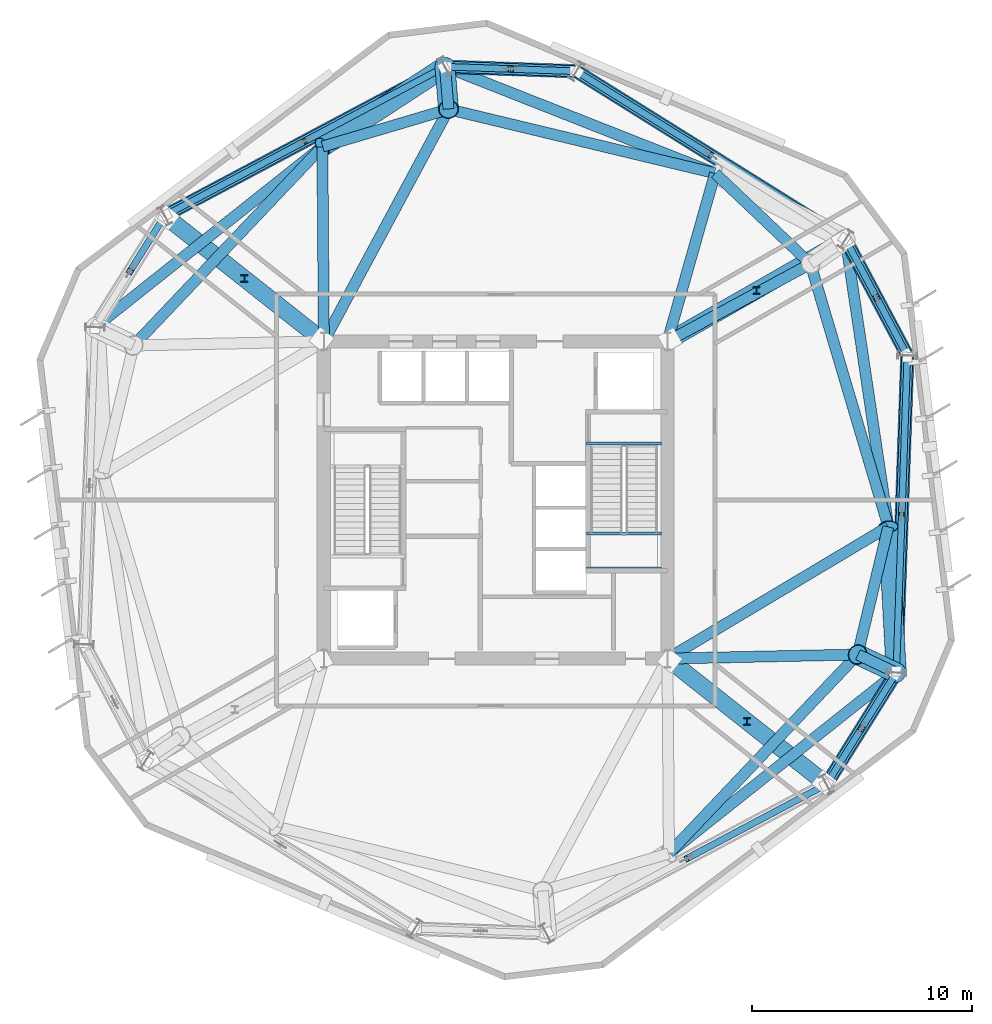
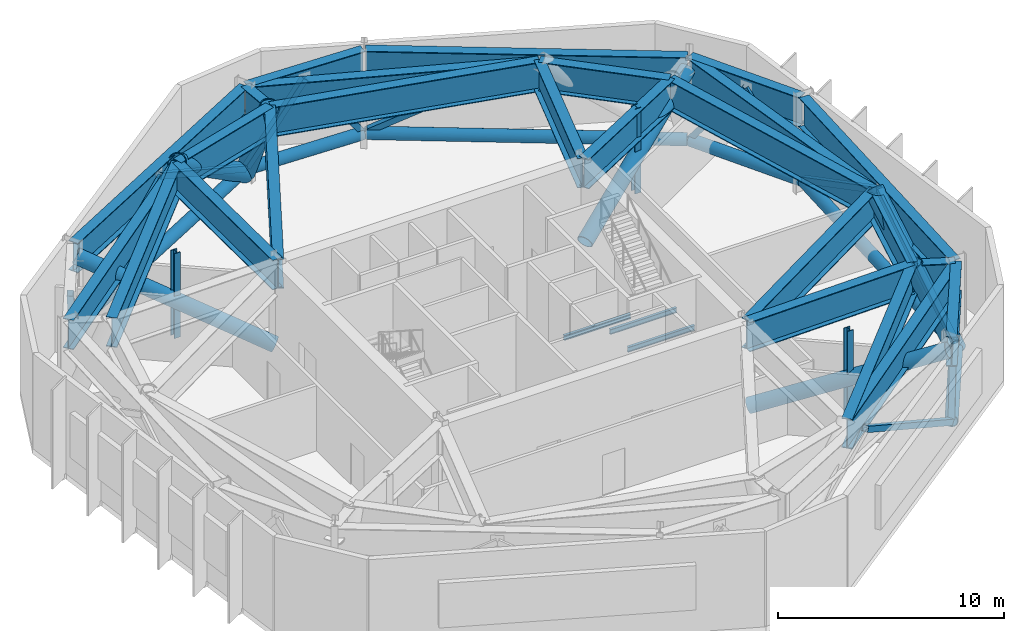
# One storey, part 2 of 11: 29 members, 28 beams.
"""IFC4 building model written with IfcOpenShell, lengths in metres."""

from ifc_helpers import new_model, si_unit, direction, frame, origin, origin_2d, place, context, subcontext, project, spatial, hollow_rectangle, hollow_circle, i_section, extrude, material, material_profile, profile_set, type_object, element, save


model = new_model("IFC4")

# Units and contexts
model_context = context("Model", 3, precision=1e-05, world=origin(), true_north=direction((0.0, 1.0)))
body_context = subcontext(model_context, "Body", "Model", "MODEL_VIEW")
ifc_project = project(units=[si_unit("LENGTHUNIT", "METRE"), si_unit("AREAUNIT", "SQUARE_METRE"), si_unit("VOLUMEUNIT", "CUBIC_METRE"), si_unit("PLANEANGLEUNIT", "RADIAN"), si_unit("MASSUNIT", "GRAM", prefix="KILO")], contexts=[model_context])

# Site, building, storey
site_placement = place(None, origin())
site = spatial("IfcSite", under=ifc_project, at=site_placement, CompositionType="ELEMENT")
building_placement = place(site_placement, origin())
building = spatial("IfcBuilding", under=site, at=building_placement, Name="Kranzbogen Civic Tower", CompositionType="ELEMENT")
storey_placement = place(building_placement, frame((0.0, 0.0, 170.39990234375)))
storey = spatial("IfcBuildingStorey", under=building, at=storey_placement, Name="L41", CompositionType="ELEMENT", Elevation=170.39990234375)

# Members
ifc_material_1 = material(Name="Steel S355", Category="steel")
ifc_material_profile_1 = material_profile(ifc_material_1, hollow_circle(Radius=0.304931640625, WallThickness=0.030029296875, at=origin_2d()), Name="CHS 610x30")
ifc_profile_set_1 = profile_set([ifc_material_profile_1], Name="Steel S355")
member_type_1 = type_object("IfcMemberType", Name="Belt Truss Bottom Chord CHS 610x30", PredefinedType="CHORD", material=ifc_profile_set_1)
member_1_placement = place(storey_placement, frame((40.06494140625, 12.159912109375, 0.550048828125), z_axis=(0.530010268754, 0.847991223431, 0.0), x_axis=(-0.847991223431, 0.530010268754, 0.0)))
element("IfcMember", 1, at=member_1_placement, inside=storey, type_object=member_type_1, Name="RNG-1: L41 belt truss bottom chord 05", PredefinedType="CHORD", context=body_context, shape_type="SweptSolid", body=[
    extrude(hollow_circle(Radius=0.304931640625, WallThickness=0.030029296875, at=origin_2d()), origin(), (0.0, 0.0, 1.0), 5.811279296875),
])
member_2_placement = place(storey_placement, frame((43.18994140625, 17.236083984375, 0.550048828125), z_axis=(0.034885400001, 0.999391319187, 0.0), x_axis=(-0.999391319187, 0.034885400001, 0.0)))
element("IfcMember", 2, at=member_2_placement, inside=storey, type_object=member_type_1, Name="RNG-1: L41 belt truss bottom chord 06", PredefinedType="CHORD", context=body_context, shape_type="SweptSolid", body=[
    extrude(hollow_circle(Radius=0.304931640625, WallThickness=0.030029296875, at=origin_2d()), origin(), (0.0, 0.0, 1.0), 14.248779296875),
])
member_3_placement = place(storey_placement, frame((43.652099609375, 31.626953125, 0.550048828125), z_axis=(-0.469440869476, 0.882963912097, 0.0), x_axis=(-0.882963912097, -0.469440869476, 0.0)))
element("IfcMember", 3, at=member_3_placement, inside=storey, type_object=member_type_1, Name="RNG-1: L41 belt truss bottom chord 07", PredefinedType="CHORD", context=body_context, shape_type="SweptSolid", body=[
    extrude(hollow_circle(Radius=0.304931640625, WallThickness=0.030029296875, at=origin_2d()), origin(), (0.0, 0.0, 1.0), 5.811279296875),
])
member_4_placement = place(storey_placement, frame((40.818115234375, 36.87109375, 0.550048828125), z_axis=(-0.848006005304, 0.529986617726, 0.0), x_axis=(-0.529986617726, -0.848006005304, 0.0)))
element("IfcMember", 4, at=member_4_placement, inside=storey, type_object=member_type_1, Name="RNG-1: L41 belt truss bottom chord 08", PredefinedType="CHORD", context=body_context, shape_type="SweptSolid", body=[
    extrude(hollow_circle(Radius=0.304931640625, WallThickness=0.030029296875, at=origin_2d()), origin(), (0.0, 0.0, 1.0), 14.24755859375),
])
member_5_placement = place(storey_placement, frame((28.587890625, 44.467041015625, 0.550048828125), z_axis=(-0.999396483261, 0.034737145028, 0.0), x_axis=(-0.034737145028, -0.999396483261, 0.0)))
element("IfcMember", 5, at=member_5_placement, inside=storey, type_object=member_type_1, Name="RNG-1: L41 belt truss bottom chord 09", PredefinedType="CHORD", context=body_context, shape_type="SweptSolid", body=[
    extrude(hollow_circle(Radius=0.304931640625, WallThickness=0.030029296875, at=origin_2d()), origin(), (0.0, 0.0, 1.0), 5.812255859375),
])
member_6_placement = place(storey_placement, frame((22.6279296875, 44.634033203125, 0.550048828125), z_axis=(-0.882971685051, -0.469426249157, 0.0), x_axis=(0.469426249157, -0.882971685051, 0.0)))
element("IfcMember", 6, at=member_6_placement, inside=storey, type_object=member_type_1, Name="RNG-1: L41 belt truss bottom chord 10", PredefinedType="CHORD", context=body_context, shape_type="SweptSolid", body=[
    extrude(hollow_circle(Radius=0.304931640625, WallThickness=0.030029296875, at=origin_2d()), origin(), (0.0, 0.0, 1.0), 14.2470703125),
])
ifc_material_2 = material(Name="Steel S460", Category="steel")
ifc_material_profile_2 = material_profile(ifc_material_2, hollow_circle(Radius=0.381103515625, WallThickness=0.031982421875, at=origin_2d()), Name="CHS 762x32")
ifc_profile_set_2 = profile_set([ifc_material_profile_2], Name="Steel S460")
member_type_2 = type_object("IfcMemberType", Name="Outrigger Truss Chord CHS 762x32", PredefinedType="CHORD", material=ifc_profile_set_2)
member_7_placement = place(storey_placement, frame((32.91796875, 17.70703125, 0.550048828125), z_axis=(0.718962917258, -0.568206550283, 0.40029194324), x_axis=(0.620050410333, 0.78456197247, 0.0)))
element("IfcMember", 7, at=member_7_placement, inside=storey, type_object=member_type_2, Name="OUT-1: L41 radial outrigger strut 2", PredefinedType="CHORD", context=body_context, shape_type="SweptSolid", body=[
    extrude(hollow_circle(Radius=0.381103515625, WallThickness=0.031982421875, at=origin_2d()), origin(), (0.0, 0.0, 1.0), 9.71826171875),
])
member_8_placement = place(storey_placement, frame((32.929931640625, 32.27490234375, 0.550048828125), z_axis=(0.796916211363, 0.456083878639, 0.396121253801), x_axis=(-0.496716148892, 0.867913052921, 0.0)))
element("IfcMember", 8, at=member_8_placement, inside=storey, type_object=member_type_2, Name="OUT-1: L41 radial outrigger strut 3", PredefinedType="CHORD", context=body_context, shape_type="SweptSolid", body=[
    extrude(hollow_circle(Radius=0.381103515625, WallThickness=0.031982421875, at=origin_2d()), origin(), (0.0, 0.0, 1.0), 9.820556640625),
])
member_9_placement = place(storey_placement, frame((17.08203125, 32.29296875, 0.550048828125), z_axis=(-0.718962917258, 0.568206550283, 0.40029194324), x_axis=(-0.620050410333, -0.78456197247, 0.0)))
element("IfcMember", 9, at=member_9_placement, inside=storey, type_object=member_type_2, Name="OUT-1: L41 radial outrigger strut 4", PredefinedType="CHORD", context=body_context, shape_type="SweptSolid", body=[
    extrude(hollow_circle(Radius=0.381103515625, WallThickness=0.031982421875, at=origin_2d()), origin(), (0.0, 0.0, 1.0), 9.71826171875),
])
ifc_material_profile_3 = material_profile(ifc_material_1, i_section(OverallWidth=0.31005859375, OverallDepth=0.340087890625, WebThickness=0.02099609375, FlangeThickness=0.0390625, at=origin_2d()), Name="HEM 300")
ifc_profile_set_3 = profile_set([ifc_material_profile_3], Name="Steel S355")
member_type_3 = type_object("IfcMemberType", Name="Outrigger Truss Vertical Post HEM 300", PredefinedType="POST", material=ifc_profile_set_3)
for number, where, z_axis, x_axis, name in (
    (10, (36.412109375, 14.946044921875, 0.550048828125), (0.0, 0.0, 1.0), (1.0, 0.0, 0.0), "PST-3: L41 outrigger web post 2"),
    (11, (36.843017578125, 34.513916015625, 0.550048828125), (0.0, 0.0, 1.0), (1.0, 0.0, 0.0), "PST-3: L41 outrigger web post 3"),
    (12, (13.587890625, 35.053955078125, 0.550048828125), (0.0, 0.0, 1.0), (1.0, 0.0, 0.0), "PST-3: L41 outrigger web post 4"),
):
    element("IfcMember", number, at=place(storey_placement, frame(where, z_axis=z_axis, x_axis=x_axis)), inside=storey, type_object=member_type_3, Name=name, PredefinedType="POST", context=body_context, shape_type="SweptSolid", body=[
        extrude(i_section(OverallWidth=0.31005859375, OverallDepth=0.340087890625, WebThickness=0.02099609375, FlangeThickness=0.0390625, at=origin_2d()), origin(), (0.0, 0.0, 1.0), 4.590087890625),
    ])
ifc_material_profile_4 = material_profile(ifc_material_2, hollow_circle(Radius=0.45703125, WallThickness=0.035888671875, at=origin_2d()), Name="CHS 914x36")
ifc_profile_set_4 = profile_set([ifc_material_profile_4], Name="Steel S460")
member_type_4 = type_object("IfcMemberType", Name="Portal Arch Thrust Strut CHS 914x36", PredefinedType="STRUT", material=ifc_profile_set_4)
member_10_placement = place(storey_placement, frame((43.18701171875, 17.156005859375, 0.35009765625), z_axis=(-0.345587232402, 0.163124485673, 0.92409948976), x_axis=(-0.426857626729, -0.904318841174, 0.0)))
element("IfcMember", 13, at=member_10_placement, inside=storey, type_object=member_type_4, Name="STR-1: L41 inclined perimeter transfer strut 05", PredefinedType="STRUT", context=body_context, shape_type="SweptSolid", body=[
    extrude(hollow_circle(Radius=0.45703125, WallThickness=0.035888671875, at=origin_2d()), origin(), (0.0, 0.0, 1.0), 5.0751953125),
])
member_11_placement = place(storey_placement, frame((43.18701171875, 17.156005859375, 0.35009765625), z_axis=(-0.044156511956, 0.815799813342, 0.576646223436), x_axis=(-0.998538363642, -0.054047537731, 0.0)))
element("IfcMember", 14, at=member_11_placement, inside=storey, type_object=member_type_4, Name="STR-1: L41 inclined perimeter transfer strut 06", PredefinedType="STRUT", context=body_context, shape_type="SweptSolid", body=[
    extrude(hollow_circle(Radius=0.45703125, WallThickness=0.035888671875, at=origin_2d()), origin(), (0.0, 0.0, 1.0), 8.133056640625),
])
member_12_placement = place(storey_placement, frame((22.698974609375, 44.672119140625, 0.35009765625), z_axis=(0.031750917318, -0.380722363114, 0.924144123757), x_axis=(0.99654054575, 0.08310800609, 0.0)))
element("IfcMember", 15, at=member_12_placement, inside=storey, type_object=member_type_4, Name="STR-1: L41 inclined perimeter transfer strut 09", PredefinedType="STRUT", context=body_context, shape_type="SweptSolid", body=[
    extrude(hollow_circle(Radius=0.45703125, WallThickness=0.035888671875, at=origin_2d()), origin(), (0.0, 0.0, 1.0), 5.074951171875),
])
member_13_placement = place(storey_placement, frame((22.698974609375, 44.672119140625, 0.35009765625), z_axis=(-0.684398699989, -0.446129006077, 0.576686508764), x_axis=(0.546080577331, -0.837732656079, 0.0)))
element("IfcMember", 16, at=member_13_placement, inside=storey, type_object=member_type_4, Name="STR-1: L41 inclined perimeter transfer strut 10", PredefinedType="STRUT", context=body_context, shape_type="SweptSolid", body=[
    extrude(hollow_circle(Radius=0.45703125, WallThickness=0.035888671875, at=origin_2d()), origin(), (0.0, 0.0, 1.0), 8.132568359375),
])

# Beams
ifc_material_profile_5 = material_profile(ifc_material_1, i_section(OverallWidth=0.135009765625, OverallDepth=0.27001953125, WebThickness=0.006591796875, FlangeThickness=0.01025390625, at=origin_2d()), Name="IPE 270")
ifc_profile_set_5 = profile_set([ifc_material_profile_5], Name="Steel S355")
beam_type_1 = type_object("IfcBeamType", Name="Stair Landing Support Beam IPE 270", PredefinedType="JOIST", material=ifc_profile_set_5)
for number, where, z_axis, x_axis, name in (
    (17, (29.1201171875, 27.56005859375, -0.434814453125), (1.0, 0.0, 0.0), (0.0, 1.0, 0.0), "L41 ST-T2 stair floor header beam"),
    (18, (29.1201171875, 23.47998046875, 2.364990234375), (1.0, 0.0, 0.0), (0.0, 1.0, 0.0), "L41 ST-T2 landing support beam 1.1"),
    (19, (29.1201171875, 21.89990234375, 2.364990234375), (1.0, 0.0, 0.0), (0.0, 1.0, 0.0), "L41 ST-T2 landing support beam 1.2"),
):
    element("IfcBeam", number, at=place(storey_placement, frame(where, z_axis=z_axis, x_axis=x_axis)), inside=storey, type_object=beam_type_1, Name=name, PredefinedType="JOIST", context=body_context, shape_type="SweptSolid", body=[
        extrude(i_section(OverallWidth=0.135009765625, OverallDepth=0.27001953125, WebThickness=0.006591796875, FlangeThickness=0.01025390625, at=origin_2d()), origin(), (0.0, 0.0, 1.0), 3.409912109375),
    ])
ifc_material_profile_6 = material_profile(ifc_material_2, i_section(OverallWidth=0.5, OverallDepth=1.60009765625, WebThickness=0.02587890625, FlangeThickness=0.0400390625, at=origin_2d()), Name="WPG 1600x500x26x40")
ifc_profile_set_6 = profile_set([ifc_material_profile_6], Name="Steel S460")
beam_type_2 = type_object("IfcBeamType", Name="Welded Transfer Girder WPG 1600x500x26x40", PredefinedType="BEAM", material=ifc_profile_set_6)
beam_1_placement = place(storey_placement, frame((40.054931640625, 12.14306640625, 4.330078125), z_axis=(0.529863902903, 0.848082687242, 0.0), x_axis=(-0.848082687242, 0.529863902903, 0.0)))
element("IfcBeam", 20, at=beam_1_placement, inside=storey, type_object=beam_type_2, Name="TG-1600: L41 lower perimeter transfer ring girder 05", PredefinedType="BEAM", context=body_context, shape_type="SweptSolid", body=[
    extrude(i_section(OverallWidth=0.5, OverallDepth=1.60009765625, WebThickness=0.02587890625, FlangeThickness=0.0400390625, at=origin_2d()), origin(), (0.0, 0.0, 1.0), 5.850830078125),
])
beam_2_placement = place(storey_placement, frame((43.18896484375, 17.216064453125, 4.330078125), z_axis=(0.034924229103, 0.999389963038, 0.0), x_axis=(-0.999389963038, 0.034924229103, 0.0)))
element("IfcBeam", 21, at=beam_2_placement, inside=storey, type_object=beam_type_2, Name="TG-1600: L41 lower perimeter transfer ring girder 06", PredefinedType="BEAM", context=body_context, shape_type="SweptSolid", body=[
    extrude(i_section(OverallWidth=0.5, OverallDepth=1.60009765625, WebThickness=0.02587890625, FlangeThickness=0.0400390625, at=origin_2d()), origin(), (0.0, 0.0, 1.0), 14.288818359375),
])
beam_3_placement = place(storey_placement, frame((43.662109375, 31.60888671875, 4.330078125), z_axis=(-0.469565926668, 0.882897412224, 0.0), x_axis=(-0.882897412224, -0.469565926668, 0.0)))
element("IfcBeam", 22, at=beam_3_placement, inside=storey, type_object=beam_type_2, Name="TG-1600: L41 lower perimeter transfer ring girder 07", PredefinedType="BEAM", context=body_context, shape_type="SweptSolid", body=[
    extrude(i_section(OverallWidth=0.5, OverallDepth=1.60009765625, WebThickness=0.02587890625, FlangeThickness=0.0400390625, at=origin_2d()), origin(), (0.0, 0.0, 1.0), 5.852294921875),
])
beam_4_placement = place(storey_placement, frame((40.8349609375, 36.861083984375, 4.330078125), z_axis=(-0.848051101349, 0.52991445489, 0.0), x_axis=(-0.52991445489, -0.848051101349, 0.0)))
element("IfcBeam", 23, at=beam_4_placement, inside=storey, type_object=beam_type_2, Name="TG-1600: L41 lower perimeter transfer ring girder 08", PredefinedType="BEAM", context=body_context, shape_type="SweptSolid", body=[
    extrude(i_section(OverallWidth=0.5, OverallDepth=1.60009765625, WebThickness=0.02587890625, FlangeThickness=0.0400390625, at=origin_2d()), origin(), (0.0, 0.0, 1.0), 14.286865234375),
])
beam_5_placement = place(storey_placement, frame((28.60791015625, 44.466064453125, 4.330078125), z_axis=(-0.999393148233, 0.03483296234, 0.0), x_axis=(-0.03483296234, -0.999393148233, 0.0)))
element("IfcBeam", 24, at=beam_5_placement, inside=storey, type_object=beam_type_2, Name="TG-1600: L41 lower perimeter transfer ring girder 09", PredefinedType="BEAM", context=body_context, shape_type="SweptSolid", body=[
    extrude(i_section(OverallWidth=0.5, OverallDepth=1.60009765625, WebThickness=0.02587890625, FlangeThickness=0.0400390625, at=origin_2d()), origin(), (0.0, 0.0, 1.0), 5.8525390625),
])
beam_6_placement = place(storey_placement, frame((22.64599609375, 44.64404296875, 4.330078125), z_axis=(-0.882948194046, -0.469470432116, 0.0), x_axis=(0.469470432116, -0.882948194046, 0.0)))
element("IfcBeam", 25, at=beam_6_placement, inside=storey, type_object=beam_type_2, Name="TG-1600: L41 lower perimeter transfer ring girder 10", PredefinedType="BEAM", context=body_context, shape_type="SweptSolid", body=[
    extrude(i_section(OverallWidth=0.5, OverallDepth=1.60009765625, WebThickness=0.02587890625, FlangeThickness=0.0400390625, at=origin_2d()), origin(), (0.0, 0.0, 1.0), 14.28857421875),
])
beam_7_placement = place(storey_placement, frame((32.876953125, 8.967041015625, 4.340087890625), z_axis=(0.688350385901, 0.725378346954, 0.0), x_axis=(-0.725378346954, 0.688350385901, 0.0)))
element("IfcBeam", 26, at=beam_7_placement, inside=storey, type_object=beam_type_2, Name="TG-1600: L41 upper perimeter transfer ring girder 04", PredefinedType="BEAM", context=body_context, shape_type="SweptSolid", body=[
    extrude(i_section(OverallWidth=0.5, OverallDepth=1.60009765625, WebThickness=0.02587890625, FlangeThickness=0.0400390625, at=origin_2d()), origin(), (0.0, 0.0, 1.0), 12.415283203125),
])
beam_8_placement = place(storey_placement, frame((41.43701171875, 17.9990234375, 4.340087890625), z_axis=(0.233455326256, 0.972367528583, 0.0), x_axis=(-0.972367528583, 0.233455326256, 0.0)))
element("IfcBeam", 27, at=beam_8_placement, inside=storey, type_object=beam_type_2, Name="TG-1600: L41 upper perimeter transfer ring girder 05", PredefinedType="BEAM", context=body_context, shape_type="SweptSolid", body=[
    extrude(i_section(OverallWidth=0.5, OverallDepth=1.60009765625, WebThickness=0.02587890625, FlangeThickness=0.0400390625, at=origin_2d()), origin(), (0.0, 0.0, 1.0), 5.94091796875),
])
beam_9_placement = place(storey_placement, frame((42.823974609375, 23.804931640625, 4.340087890625), z_axis=(-0.284046822115, 0.958810410272, 0.0), x_axis=(-0.958810410272, -0.284046822115, 0.0)))
element("IfcBeam", 28, at=beam_9_placement, inside=storey, type_object=beam_type_2, Name="TG-1600: L41 upper perimeter transfer ring girder 06", PredefinedType="BEAM", context=body_context, shape_type="SweptSolid", body=[
    extrude(i_section(OverallWidth=0.5, OverallDepth=1.60009765625, WebThickness=0.02587890625, FlangeThickness=0.0400390625, at=origin_2d()), origin(), (0.0, 0.0, 1.0), 12.41650390625),
])
beam_10_placement = place(storey_placement, frame((39.281982421875, 35.73388671875, 4.340087890625), z_axis=(-0.725292730722, 0.688440596393, 0.0), x_axis=(-0.688440596393, -0.725292730722, 0.0)))
element("IfcBeam", 29, at=beam_10_placement, inside=storey, type_object=beam_type_2, Name="TG-1600: L41 upper perimeter transfer ring girder 07", PredefinedType="BEAM", context=body_context, shape_type="SweptSolid", body=[
    extrude(i_section(OverallWidth=0.5, OverallDepth=1.60009765625, WebThickness=0.02587890625, FlangeThickness=0.0400390625, at=origin_2d()), origin(), (0.0, 0.0, 1.0), 5.942626953125),
])
beam_11_placement = place(storey_placement, frame((34.946044921875, 39.839111328125, 4.340087890625), z_axis=(-0.972388730116, 0.233367001831, 0.0), x_axis=(-0.233367001831, -0.972388730116, 0.0)))
element("IfcBeam", 30, at=beam_11_placement, inside=storey, type_object=beam_type_2, Name="TG-1600: L41 upper perimeter transfer ring girder 08", PredefinedType="BEAM", context=body_context, shape_type="SweptSolid", body=[
    extrude(i_section(OverallWidth=0.5, OverallDepth=1.60009765625, WebThickness=0.02587890625, FlangeThickness=0.0400390625, at=origin_2d()), origin(), (0.0, 0.0, 1.0), 12.413818359375),
])
beam_12_placement = place(storey_placement, frame((22.845947265625, 42.736083984375, 4.340087890625), z_axis=(-0.958825457402, -0.283996025039, 0.0), x_axis=(0.283996025039, -0.958825457402, 0.0)))
element("IfcBeam", 31, at=beam_12_placement, inside=storey, type_object=beam_type_2, Name="TG-1600: L41 upper perimeter transfer ring girder 09", PredefinedType="BEAM", context=body_context, shape_type="SweptSolid", body=[
    extrude(i_section(OverallWidth=0.5, OverallDepth=1.60009765625, WebThickness=0.02587890625, FlangeThickness=0.0400390625, at=origin_2d()), origin(), (0.0, 0.0, 1.0), 5.943603515625),
])
beam_13_placement = place(storey_placement, frame((17.123046875, 41.032958984375, 4.340087890625), z_axis=(-0.688350385901, -0.725378346954, 0.0), x_axis=(0.725378346954, -0.688350385901, 0.0)))
element("IfcBeam", 32, at=beam_13_placement, inside=storey, type_object=beam_type_2, Name="TG-1600: L41 upper perimeter transfer ring girder 10", PredefinedType="BEAM", context=body_context, shape_type="SweptSolid", body=[
    extrude(i_section(OverallWidth=0.5, OverallDepth=1.60009765625, WebThickness=0.02587890625, FlangeThickness=0.0400390625, at=origin_2d()), origin(), (0.0, 0.0, 1.0), 12.415283203125),
])
beam_14_placement = place(storey_placement, frame((43.14794921875, 17.125, 4.330078125), z_axis=(-0.782922049553, -0.622119815087, 0.0), x_axis=(0.622119815087, -0.782922049553, 0.0)))
element("IfcBeam", 33, at=beam_14_placement, inside=storey, type_object=beam_type_2, Name="TG-1600: L41 perimeter column transfer girder 04", PredefinedType="BEAM", context=body_context, shape_type="SweptSolid", body=[
    extrude(i_section(OverallWidth=0.5, OverallDepth=1.60009765625, WebThickness=0.02587890625, FlangeThickness=0.0400390625, at=origin_2d()), origin(), (0.0, 0.0, 1.0), 13.1162109375),
])
beam_15_placement = place(storey_placement, frame((32.860107421875, 17.801025390625, 4.340087890625), z_axis=(0.999771790054, 0.021362766974, 0.0), x_axis=(-0.021362766974, 0.999771790054, 0.0)))
element("IfcBeam", 34, at=beam_15_placement, inside=storey, type_object=beam_type_2, Name="TG-1600: L41 radial column transfer girder 05", PredefinedType="BEAM", context=body_context, shape_type="SweptSolid", body=[
    extrude(i_section(OverallWidth=0.5, OverallDepth=1.60009765625, WebThickness=0.02587890625, FlangeThickness=0.0400390625, at=origin_2d()), origin(), (0.0, 0.0, 1.0), 8.559814453125),
])
beam_16_placement = place(storey_placement, frame((43.14208984375, 17.177001953125, 4.330078125), z_axis=(-0.904129892247, 0.427257695011, 0.0), x_axis=(-0.427257695011, -0.904129892247, 0.0)))
element("IfcBeam", 35, at=beam_16_placement, inside=storey, type_object=beam_type_2, Name="TG-1600: L41 perimeter column transfer girder 05", PredefinedType="BEAM", context=body_context, shape_type="SweptSolid", body=[
    extrude(i_section(OverallWidth=0.5, OverallDepth=1.60009765625, WebThickness=0.02587890625, FlangeThickness=0.0400390625, at=origin_2d()), origin(), (0.0, 0.0, 1.0), 1.874755859375),
])
beam_17_placement = place(storey_placement, frame((32.85205078125, 17.8310546875, 4.340087890625), z_axis=(0.858473291662, 0.512858272335, 0.0), x_axis=(-0.512858272335, 0.858473291662, 0.0)))
element("IfcBeam", 36, at=beam_17_placement, inside=storey, type_object=beam_type_2, Name="TG-1600: L41 radial column transfer girder 06", PredefinedType="BEAM", context=body_context, shape_type="SweptSolid", body=[
    extrude(i_section(OverallWidth=0.5, OverallDepth=1.60009765625, WebThickness=0.02587890625, FlangeThickness=0.0400390625, at=origin_2d()), origin(), (0.0, 0.0, 1.0), 11.60546875),
])
beam_18_placement = place(storey_placement, frame((40.89306640625, 36.780029296875, 4.330078125), z_axis=(0.147351980867, -0.989084118634, 0.0), x_axis=(0.989084118634, 0.147351980867, 0.0)))
element("IfcBeam", 37, at=beam_18_placement, inside=storey, type_object=beam_type_2, Name="TG-1600: L41 perimeter column transfer girder 06", PredefinedType="BEAM", context=body_context, shape_type="SweptSolid", body=[
    extrude(i_section(OverallWidth=0.5, OverallDepth=1.60009765625, WebThickness=0.02587890625, FlangeThickness=0.0400390625, at=origin_2d()), origin(), (0.0, 0.0, 1.0), 13.1171875),
])
beam_19_placement = place(storey_placement, frame((32.85302734375, 32.22900390625, 4.340087890625), z_axis=(0.878905422159, 0.476996078495, 0.0), x_axis=(-0.476996078495, 0.878905422159, 0.0)))
element("IfcBeam", 38, at=beam_19_placement, inside=storey, type_object=beam_type_2, Name="TG-1600: L41 radial column transfer girder 07", PredefinedType="BEAM", context=body_context, shape_type="SweptSolid", body=[
    extrude(i_section(OverallWidth=0.5, OverallDepth=1.60009765625, WebThickness=0.02587890625, FlangeThickness=0.0400390625, at=origin_2d()), origin(), (0.0, 0.0, 1.0), 7.3125),
])
beam_20_placement = place(storey_placement, frame((32.81591796875, 32.258056640625, 4.340087890625), z_axis=(0.272398426415, 0.962184544298, 0.0), x_axis=(-0.962184544298, 0.272398426415, 0.0)))
element("IfcBeam", 39, at=beam_20_placement, inside=storey, type_object=beam_type_2, Name="TG-1600: L41 radial column transfer girder 08", PredefinedType="BEAM", context=body_context, shape_type="SweptSolid", body=[
    extrude(i_section(OverallWidth=0.5, OverallDepth=1.60009765625, WebThickness=0.02587890625, FlangeThickness=0.0400390625, at=origin_2d()), origin(), (0.0, 0.0, 1.0), 7.860107421875),
])
beam_21_placement = place(storey_placement, frame((22.74609375, 44.654052734375, 4.330078125), z_axis=(0.930237672986, -0.366957588499, 0.0), x_axis=(0.366957588499, 0.930237672986, 0.0)))
element("IfcBeam", 40, at=beam_21_placement, inside=storey, type_object=beam_type_2, Name="TG-1600: L41 perimeter column transfer girder 08", PredefinedType="BEAM", context=body_context, shape_type="SweptSolid", body=[
    extrude(i_section(OverallWidth=0.5, OverallDepth=1.60009765625, WebThickness=0.02587890625, FlangeThickness=0.0400390625, at=origin_2d()), origin(), (0.0, 0.0, 1.0), 13.115966796875),
])
beam_22_placement = place(storey_placement, frame((17.22802734375, 32.2529296875, 4.340087890625), z_axis=(0.473127228264, 0.880994112282, 0.0), x_axis=(-0.880994112282, 0.473127228264, 0.0)))
element("IfcBeam", 41, at=beam_22_placement, inside=storey, type_object=beam_type_2, Name="TG-1600: L41 radial column transfer girder 09", PredefinedType="BEAM", context=body_context, shape_type="SweptSolid", body=[
    extrude(i_section(OverallWidth=0.5, OverallDepth=1.60009765625, WebThickness=0.02587890625, FlangeThickness=0.0400390625, at=origin_2d()), origin(), (0.0, 0.0, 1.0), 11.888916015625),
])
beam_23_placement = place(storey_placement, frame((22.702880859375, 44.6220703125, 4.330078125), z_axis=(0.083261145438, -0.996527762614, 0.0), x_axis=(0.996527762614, 0.083261145438, 0.0)))
element("IfcBeam", 42, at=beam_23_placement, inside=storey, type_object=beam_type_2, Name="TG-1600: L41 perimeter column transfer girder 09", PredefinedType="BEAM", context=body_context, shape_type="SweptSolid", body=[
    extrude(i_section(OverallWidth=0.5, OverallDepth=1.60009765625, WebThickness=0.02587890625, FlangeThickness=0.0400390625, at=origin_2d()), origin(), (0.0, 0.0, 1.0), 1.873779296875),
])
beam_24_placement = place(storey_placement, frame((17.199951171875, 32.260009765625, 4.340087890625), z_axis=(-0.007628265154, 0.999970904362, 0.0), x_axis=(-0.999970904362, -0.007628265154, 0.0)))
element("IfcBeam", 43, at=beam_24_placement, inside=storey, type_object=beam_type_2, Name="TG-1600: L41 radial column transfer girder 10", PredefinedType="BEAM", context=body_context, shape_type="SweptSolid", body=[
    extrude(i_section(OverallWidth=0.5, OverallDepth=1.60009765625, WebThickness=0.02587890625, FlangeThickness=0.0400390625, at=origin_2d()), origin(), (0.0, 0.0, 1.0), 8.769287109375),
])
beam_25_placement = place(storey_placement, frame((6.85205078125, 32.875, 4.330078125), z_axis=(0.782922049553, 0.622119815087, 0.0), x_axis=(-0.622119815087, 0.782922049553, 0.0)))
element("IfcBeam", 44, at=beam_25_placement, inside=storey, type_object=beam_type_2, Name="TG-1600: L41 perimeter column transfer girder 10", PredefinedType="BEAM", context=body_context, shape_type="SweptSolid", body=[
    extrude(i_section(OverallWidth=0.5, OverallDepth=1.60009765625, WebThickness=0.02587890625, FlangeThickness=0.0400390625, at=origin_2d()), origin(), (0.0, 0.0, 1.0), 13.1162109375),
])

# Members
ifc_material_profile_7 = material_profile(ifc_material_1, hollow_rectangle(XDim=0.300048828125, YDim=0.300048828125, WallThickness=0.01611328125, at=origin_2d()), Name="SHS 300x300x16")
ifc_profile_set_7 = profile_set([ifc_material_profile_7], Name="Steel S355")
member_type_5 = type_object("IfcMemberType", Name="Zone 2 Belt Truss Diagonal SHS 300x300x16", PredefinedType="BRACE", material=ifc_profile_set_7)
member_14_placement = place(storey_placement, frame((39.951904296875, 12.053955078125, 0.650146484375), z_axis=(-0.777239569183, -0.413222465517, 0.474495359396), x_axis=(0.469433351991, -0.882967908838, 0.0)))
element("IfcMember", 45, at=member_14_placement, inside=storey, type_object=member_type_5, Name="DG-300: L41 belt truss diagonal 04B", PredefinedType="BRACE", context=body_context, shape_type="SweptSolid", body=[
    extrude(hollow_rectangle(XDim=0.300048828125, YDim=0.300048828125, WallThickness=0.01611328125, at=origin_2d()), origin(), (0.0, 0.0, 1.0), 8.092529296875),
])
member_15_placement = place(storey_placement, frame((40.06494140625, 12.159912109375, 0.650146484375), z_axis=(0.319816170594, 0.511716012968, 0.797411022685), x_axis=(-0.848003024136, 0.529991387719, 0.0)))
element("IfcMember", 46, at=member_15_placement, inside=storey, type_object=member_type_5, Name="DG-300: L41 belt truss diagonal 05A", PredefinedType="BRACE", context=body_context, shape_type="SweptSolid", body=[
    extrude(hollow_rectangle(XDim=0.300048828125, YDim=0.300048828125, WallThickness=0.01611328125, at=origin_2d()), origin(), (0.0, 0.0, 1.0), 4.8154296875),
])
member_16_placement = place(storey_placement, frame((43.14501953125, 17.087890625, 0.650146484375), z_axis=(-0.319824467832, -0.511678587406, 0.797431710535), x_axis=(0.847979421464, -0.530029150871, 0.0)))
element("IfcMember", 47, at=member_16_placement, inside=storey, type_object=member_type_5, Name="DG-300: L41 belt truss diagonal 05B", PredefinedType="BRACE", context=body_context, shape_type="SweptSolid", body=[
    extrude(hollow_rectangle(XDim=0.300048828125, YDim=0.300048828125, WallThickness=0.01611328125, at=origin_2d()), origin(), (0.0, 0.0, 1.0), 4.815185546875),
])
member_17_placement = place(storey_placement, frame((43.18994140625, 17.236083984375, 0.650146484375), z_axis=(0.030649120618, 0.879744394282, 0.474458040437), x_axis=(-0.999393685567, 0.034817542247, 0.0)))
element("IfcMember", 48, at=member_17_placement, inside=storey, type_object=member_type_5, Name="DG-300: L41 belt truss diagonal 06A", PredefinedType="BRACE", context=body_context, shape_type="SweptSolid", body=[
    extrude(hollow_rectangle(XDim=0.300048828125, YDim=0.300048828125, WallThickness=0.01611328125, at=origin_2d()), origin(), (0.0, 0.0, 1.0), 8.093017578125),
])
member_18_placement = place(storey_placement, frame((43.68701171875, 31.47607421875, 0.650146484375), z_axis=(-0.030768855863, -0.879747953333, 0.474443691195), x_axis=(0.999388948292, -0.034953254946, 0.0)))
element("IfcMember", 49, at=member_18_placement, inside=storey, type_object=member_type_5, Name="DG-300: L41 belt truss diagonal 06B", PredefinedType="BRACE", context=body_context, shape_type="SweptSolid", body=[
    extrude(hollow_rectangle(XDim=0.300048828125, YDim=0.300048828125, WallThickness=0.01611328125, at=origin_2d()), origin(), (0.0, 0.0, 1.0), 8.09326171875),
])
member_19_placement = place(storey_placement, frame((43.652099609375, 31.626953125, 0.650146484375), z_axis=(-0.283248235637, 0.532883874133, 0.797373948469), x_axis=(-0.883010191017, -0.469353813834, 0.0)))
element("IfcMember", 50, at=member_19_placement, inside=storey, type_object=member_type_5, Name="DG-300: L41 belt truss diagonal 07A", PredefinedType="BRACE", context=body_context, shape_type="SweptSolid", body=[
    extrude(hollow_rectangle(XDim=0.300048828125, YDim=0.300048828125, WallThickness=0.01611328125, at=origin_2d()), origin(), (0.0, 0.0, 1.0), 4.815673828125),
])
member_20_placement = place(storey_placement, frame((40.924072265625, 36.758056640625, 0.650146484375), z_axis=(0.283286495465, -0.532702330653, 0.797481653961), x_axis=(0.88291760742, 0.469527952851, 0.0)))
element("IfcMember", 51, at=member_20_placement, inside=storey, type_object=member_type_5, Name="DG-300: L41 belt truss diagonal 07B", PredefinedType="BRACE", context=body_context, shape_type="SweptSolid", body=[
    extrude(hollow_rectangle(XDim=0.300048828125, YDim=0.300048828125, WallThickness=0.01611328125, at=origin_2d()), origin(), (0.0, 0.0, 1.0), 4.81494140625),
])
member_21_placement = place(storey_placement, frame((28.736083984375, 44.422119140625, 0.650146484375), z_axis=(0.746487364881, -0.466494266212, 0.474488897303), x_axis=(0.529949648881, 0.848029108964, 0.0)))
element("IfcMember", 52, at=member_21_placement, inside=storey, type_object=member_type_5, Name="DG-300: L41 belt truss diagonal 08B", PredefinedType="BRACE", context=body_context, shape_type="SweptSolid", body=[
    extrude(hollow_rectangle(XDim=0.300048828125, YDim=0.300048828125, WallThickness=0.01611328125, at=origin_2d()), origin(), (0.0, 0.0, 1.0), 8.092529296875),
])
member_22_placement = place(storey_placement, frame((28.587890625, 44.467041015625, 0.650146484375), z_axis=(-0.603043060141, 0.020990400782, 0.797432423902), x_axis=(-0.034786399429, -0.999394770056, 0.0)))
element("IfcMember", 53, at=member_22_placement, inside=storey, type_object=member_type_5, Name="DG-300: L41 belt truss diagonal 09A", PredefinedType="BRACE", context=body_context, shape_type="SweptSolid", body=[
    extrude(hollow_rectangle(XDim=0.300048828125, YDim=0.300048828125, WallThickness=0.01611328125, at=origin_2d()), origin(), (0.0, 0.0, 1.0), 4.815185546875),
])
member_23_placement = place(storey_placement, frame((22.779052734375, 44.6689453125, 0.650146484375), z_axis=(0.60320498071, -0.020936520467, 0.797311365376), x_axis=(0.034687911072, 0.999398193327, 0.0)))
element("IfcMember", 54, at=member_23_placement, inside=storey, type_object=member_type_5, Name="DG-300: L41 belt truss diagonal 09B", PredefinedType="BRACE", context=body_context, shape_type="SweptSolid", body=[
    extrude(hollow_rectangle(XDim=0.300048828125, YDim=0.300048828125, WallThickness=0.01611328125, at=origin_2d()), origin(), (0.0, 0.0, 1.0), 4.81591796875),
])
member_24_placement = place(storey_placement, frame((22.6279296875, 44.634033203125, 0.650146484375), z_axis=(-0.777251512562, -0.41321277626, 0.47448423341), x_axis=(0.469419146507, -0.882975461093, 0.0)))
element("IfcMember", 55, at=member_24_placement, inside=storey, type_object=member_type_5, Name="DG-300: L41 belt truss diagonal 10A", PredefinedType="BRACE", context=body_context, shape_type="SweptSolid", body=[
    extrude(hollow_rectangle(XDim=0.300048828125, YDim=0.300048828125, WallThickness=0.01611328125, at=origin_2d()), origin(), (0.0, 0.0, 1.0), 8.0927734375),
])
member_25_placement = place(storey_placement, frame((10.048095703125, 37.946044921875, 0.650146484375), z_axis=(0.777239569183, 0.413222465517, 0.474495359396), x_axis=(-0.469433351991, 0.882967908838, 0.0)))
element("IfcMember", 56, at=member_25_placement, inside=storey, type_object=member_type_5, Name="DG-300: L41 belt truss diagonal 10B", PredefinedType="BRACE", context=body_context, shape_type="SweptSolid", body=[
    extrude(hollow_rectangle(XDim=0.300048828125, YDim=0.300048828125, WallThickness=0.01611328125, at=origin_2d()), origin(), (0.0, 0.0, 1.0), 8.092529296875),
])
member_26_placement = place(storey_placement, frame((9.93505859375, 37.840087890625, 0.650146484375), z_axis=(-0.319816170594, -0.511716012968, 0.797411022685), x_axis=(0.848003024136, -0.529991387719, 0.0)))
element("IfcMember", 57, at=member_26_placement, inside=storey, type_object=member_type_5, Name="DG-300: L41 belt truss diagonal 11A", PredefinedType="BRACE", context=body_context, shape_type="SweptSolid", body=[
    extrude(hollow_rectangle(XDim=0.300048828125, YDim=0.300048828125, WallThickness=0.01611328125, at=origin_2d()), origin(), (0.0, 0.0, 1.0), 4.8154296875),
])

save(model, "model.ifc")
